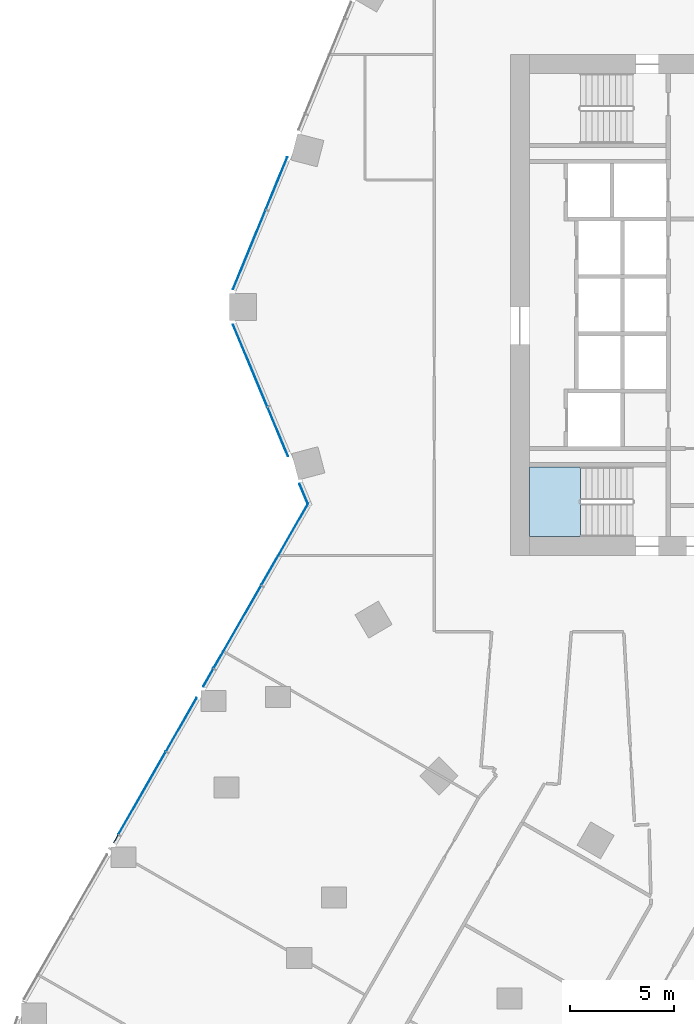
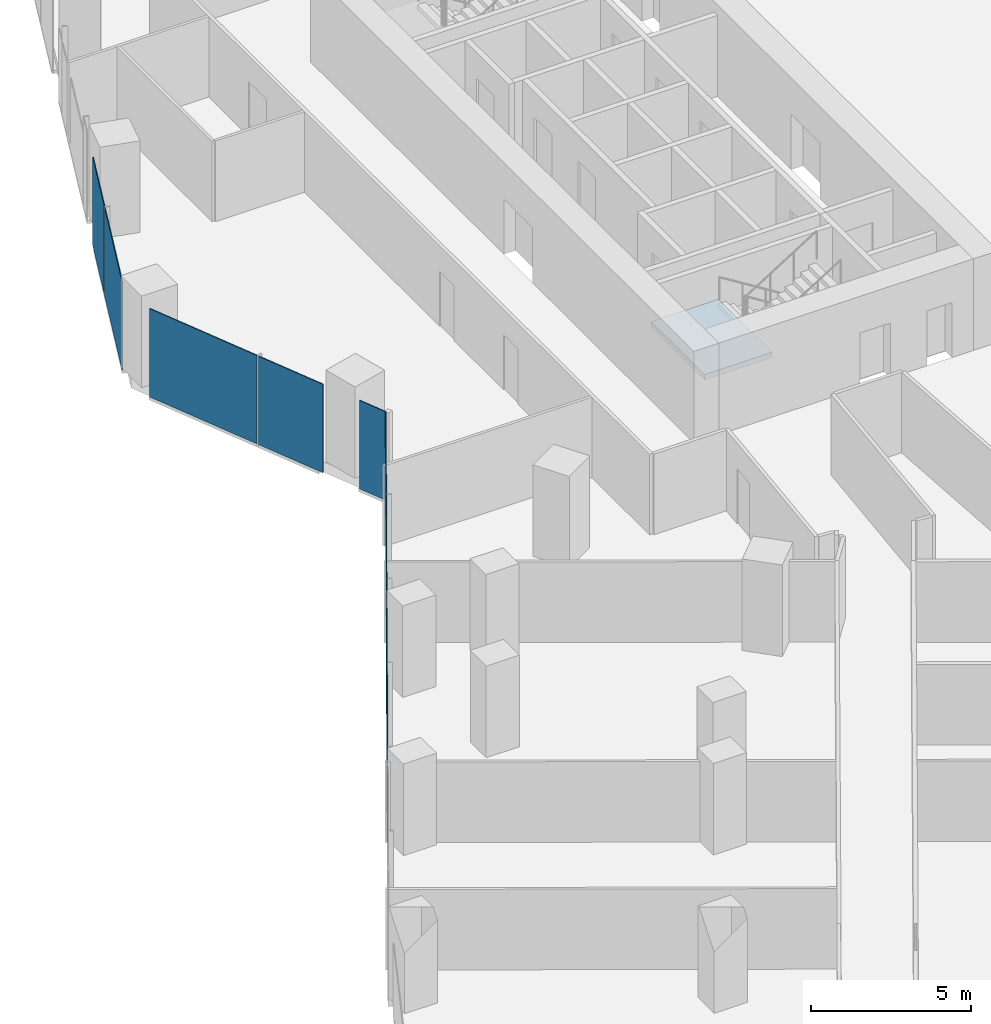
# One storey, part 20 of 35: 11 plates, 1 slab, 4 elements without a shape of their own.
"""IFC4 building model written with IfcOpenShell, lengths in metres."""

from ifc_helpers import new_model, si_unit, direction, frame, origin, origin_2d, place, context, subcontext, project, spatial, polyline, rectangle, outline, extrude, material, layer, layer_set, type_object, element, aggregate, save


model = new_model("IFC4")

# Units and contexts
model_context = context("Model", 3, precision=1e-05, world=origin(), true_north=direction((0.0, 1.0)))
body_context = subcontext(model_context, "Body", "Model", "MODEL_VIEW")
ifc_project = project(units=[si_unit("LENGTHUNIT", "METRE"), si_unit("AREAUNIT", "SQUARE_METRE"), si_unit("VOLUMEUNIT", "CUBIC_METRE"), si_unit("PLANEANGLEUNIT", "RADIAN"), si_unit("MASSUNIT", "GRAM", prefix="KILO")], contexts=[model_context])

# Site, building, storey
site_placement = place(None, origin())
site = spatial("IfcSite", under=ifc_project, at=site_placement, CompositionType="ELEMENT")
building_placement = place(site_placement, origin())
building = spatial("IfcBuilding", under=site, at=building_placement, Name="Orlundy Tower", CompositionType="ELEMENT")
storey_placement = place(building_placement, frame((0.0, 0.0, 116.199951171875)))
storey = spatial("IfcBuildingStorey", under=building, at=storey_placement, Name="L29", CompositionType="ELEMENT", Elevation=116.199951171875)

# Curtain wall, plates
ifc_material_1 = material(Name="Aluminium bronze anodised", Category="aluminium")
curtain_wall_type = type_object("IfcCurtainWallType", Name="CW1 wall", PredefinedType="NOTDEFINED", material=ifc_material_1)
curtain_wall_1_placement = place(storey_placement, origin())
curtain_wall_1 = element("IfcCurtainWall", 1, at=curtain_wall_1_placement, inside=storey, type_object=curtain_wall_type, Name="CW1 run 012", PredefinedType="NOTDEFINED")
ifc_material_2 = material(Name="Tinted glass", Category="glass")
ifc_layer_1 = layer(ifc_material_2, 0.031982421875)
ifc_layer_set_1 = layer_set([ifc_layer_1], Name="CW1 glass panel 32")
plate_type = type_object("IfcPlateType", Name="CW1 glass panel 32", PredefinedType="CURTAIN_PANEL", material=ifc_layer_set_1)
plate_1_placement = place(storey_placement, frame((-37.916259765625, -25.583984375, -0.27978515625), z_axis=(0.0, 0.0, 1.0), x_axis=(0.497468306172, 0.867482152182, 0.0)))
plate_1 = element("IfcPlate", 2, at=plate_1_placement, type_object=plate_type, Name="CW1 panel", PredefinedType="CURTAIN_PANEL", context=body_context, shape_type="SweptSolid", body=[
    extrude(rectangle(XDim=0.417236328125, YDim=0.031982421875, at=origin_2d()), origin(), (0.0, 0.0, 1.0), 3.3798828125),
])
plate_2_placement = place(storey_placement, frame((-36.65869140625, -23.39111328125, -0.27978515625), z_axis=(0.0, 0.0, 1.0), x_axis=(0.497468306172, 0.867482152182, 0.0)))
plate_2 = element("IfcPlate", 3, at=plate_2_placement, type_object=plate_type, Name="CW1 panel", PredefinedType="CURTAIN_PANEL", context=body_context, shape_type="SweptSolid", body=[
    extrude(rectangle(XDim=4.53857421875, YDim=0.031982421875, at=origin_2d()), origin(), (0.0, 0.0, 1.0), 3.3798828125),
])
plate_3_placement = place(storey_placement, frame((-34.775390625, -20.107177734375, -0.27978515625), z_axis=(0.0, 0.0, 1.0), x_axis=(0.497468306172, 0.867482152182, 0.0)))
plate_3 = element("IfcPlate", 4, at=plate_3_placement, type_object=plate_type, Name="CW1 panel", PredefinedType="CURTAIN_PANEL", context=body_context, shape_type="SweptSolid", body=[
    extrude(rectangle(XDim=2.9326171875, YDim=0.031982421875, at=origin_2d()), origin(), (0.0, 0.0, 1.0), 3.3798828125),
])
plate_4_placement = place(storey_placement, frame((-33.486083984375, -17.859130859375, -0.27978515625), z_axis=(0.0, 0.0, 1.0), x_axis=(0.497468306172, 0.867482152182, 0.0)))
plate_4 = element("IfcPlate", 5, at=plate_4_placement, type_object=plate_type, Name="CW1 panel", PredefinedType="CURTAIN_PANEL", context=body_context, shape_type="SweptSolid", body=[
    extrude(rectangle(XDim=0.961181640625, YDim=0.031982421875, at=origin_2d()), origin(), (0.0, 0.0, 1.0), 3.3798828125),
])
plate_5_placement = place(storey_placement, frame((-32.09326171875, -15.43017578125, -0.27978515625), z_axis=(0.0, 0.0, 1.0), x_axis=(0.497468306172, 0.867482152182, 0.0)))
plate_5 = element("IfcPlate", 6, at=plate_5_placement, type_object=plate_type, Name="CW1 panel", PredefinedType="CURTAIN_PANEL", context=body_context, shape_type="SweptSolid", body=[
    extrude(rectangle(XDim=4.53857421875, YDim=0.031982421875, at=origin_2d()), origin(), (0.0, 0.0, 1.0), 3.3798828125),
])
plate_6_placement = place(storey_placement, frame((-29.824462890625, -11.473876953125, -0.27978515625), z_axis=(0.0, 0.0, 1.0), x_axis=(0.497468306172, 0.867482152182, 0.0)))
plate_6 = element("IfcPlate", 7, at=plate_6_placement, type_object=plate_type, Name="CW1 panel", PredefinedType="CURTAIN_PANEL", context=body_context, shape_type="SweptSolid", body=[
    extrude(rectangle(XDim=4.482666015625, YDim=0.031982421875, at=origin_2d()), origin(), (0.0, 0.0, 1.0), 3.3798828125),
])
aggregate(curtain_wall_1, [plate_1, plate_2, plate_3, plate_4, plate_5, plate_6])

curtain_wall_2_placement = place(storey_placement, origin())
curtain_wall_2 = element("IfcCurtainWall", 8, at=curtain_wall_2_placement, inside=storey, type_object=curtain_wall_type, Name="CW1 run 013", PredefinedType="NOTDEFINED")
plate_7_placement = place(storey_placement, frame((-28.9091796875, -9.05126953125, -0.27978515625), z_axis=(0.0, 0.0, 1.0), x_axis=(-0.385343522299, 0.922773195223, 0.0)))
plate_7 = element("IfcPlate", 9, at=plate_7_placement, type_object=plate_type, Name="CW1 panel", PredefinedType="CURTAIN_PANEL", context=body_context, shape_type="SweptSolid", body=[
    extrude(rectangle(XDim=1.036865234375, YDim=0.031982421875, at=origin_2d()), origin(), (0.0, 0.0, 1.0), 3.3798828125),
])
plate_8_placement = place(storey_placement, frame((-30.1513671875, -6.07666015625, -0.27978515625), z_axis=(0.0, 0.0, 1.0), x_axis=(-0.385343522299, 0.922773195223, 0.0)))
plate_8 = element("IfcPlate", 10, at=plate_8_placement, type_object=plate_type, Name="CW1 panel", PredefinedType="CURTAIN_PANEL", context=body_context, shape_type="SweptSolid", body=[
    extrude(rectangle(XDim=2.542236328125, YDim=0.031982421875, at=origin_2d()), origin(), (0.0, 0.0, 1.0), 3.3798828125),
])
plate_9_placement = place(storey_placement, frame((-31.4775390625, -2.901123046875, -0.27978515625), z_axis=(0.0, 0.0, 1.0), x_axis=(-0.385343522299, 0.922773195223, 0.0)))
plate_9 = element("IfcPlate", 11, at=plate_9_placement, type_object=plate_type, Name="CW1 panel", PredefinedType="CURTAIN_PANEL", context=body_context, shape_type="SweptSolid", body=[
    extrude(rectangle(XDim=4.24072265625, YDim=0.031982421875, at=origin_2d()), origin(), (0.0, 0.0, 1.0), 3.3798828125),
])
aggregate(curtain_wall_2, [plate_7, plate_8, plate_9])

curtain_wall_3_placement = place(storey_placement, origin())
curtain_wall_3 = element("IfcCurtainWall", 12, at=curtain_wall_3_placement, inside=storey, type_object=curtain_wall_type, Name="CW1 run 014", PredefinedType="NOTDEFINED")
plate_10_placement = place(storey_placement, frame((-31.522216796875, 2.649169921875, -0.27978515625), z_axis=(0.0, 0.0, 1.0), x_axis=(0.380004927003, 0.924984462277, 0.0)))
plate_10 = element("IfcPlate", 13, at=plate_10_placement, type_object=plate_type, Name="CW1 panel", PredefinedType="CURTAIN_PANEL", context=body_context, shape_type="SweptSolid", body=[
    extrude(rectangle(XDim=4.09423828125, YDim=0.031982421875, at=origin_2d()), origin(), (0.0, 0.0, 1.0), 3.3798828125),
])
plate_11_placement = place(storey_placement, frame((-30.21337890625, 5.835205078125, -0.27978515625), z_axis=(0.0, 0.0, 1.0), x_axis=(0.380004927003, 0.924984462277, 0.0)))
plate_11 = element("IfcPlate", 14, at=plate_11_placement, type_object=plate_type, Name="CW1 panel", PredefinedType="CURTAIN_PANEL", context=body_context, shape_type="SweptSolid", body=[
    extrude(rectangle(XDim=2.694580078125, YDim=0.031982421875, at=origin_2d()), origin(), (0.0, 0.0, 1.0), 3.3798828125),
])
aggregate(curtain_wall_3, [plate_10, plate_11])

# Stair, slab
ifc_material_3 = material(Name="Concrete C50/60", Category="concrete")
stair_type = type_object("IfcStairType", Name="Exit Stair 20 risers", PredefinedType="HALF_TURN_STAIR", material=ifc_material_3)
stair_placement = place(storey_placement, origin())
stair = element("IfcStair", 15, at=stair_placement, inside=storey, type_object=stair_type, Name="L29 Exit Stair ST-W2", PredefinedType="HALF_TURN_STAIR")
ifc_material_4 = material(Name="Concrete C50/60", Category="concrete")
ifc_layer_2 = layer(ifc_material_4, 0.199951171875)
ifc_layer_set_2 = layer_set([ifc_layer_2], Name="Exit Stair Landing")
slab_type = type_object("IfcSlabType", Name="Exit Stair Landing", PredefinedType="LANDING", material=ifc_layer_set_2)
slab_placement = place(storey_placement, frame((0.0, 0.0, 1.550048828125)))
slab = element("IfcSlab", 16, at=slab_placement, type_object=slab_type, Name="ST-W2 landing 1", PredefinedType="LANDING", context=body_context, shape_type="SweptSolid", body=[
    extrude(outline(polyline([(-15.659912109375, -7.75), (-18.10009765625, -7.75), (-18.10009765625, -11.10009765625), (-15.659912109375, -11.10009765625), (-15.659912109375, -7.75)])), origin(), (0.0, 0.0, 1.0), 0.199951171875),
])
aggregate(stair, [slab])

save(model, "model.ifc")
